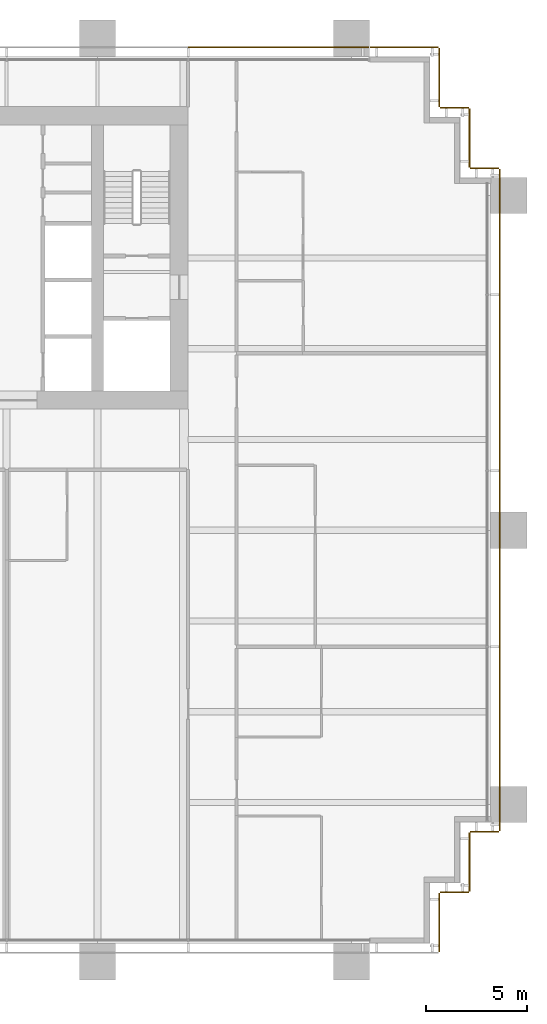
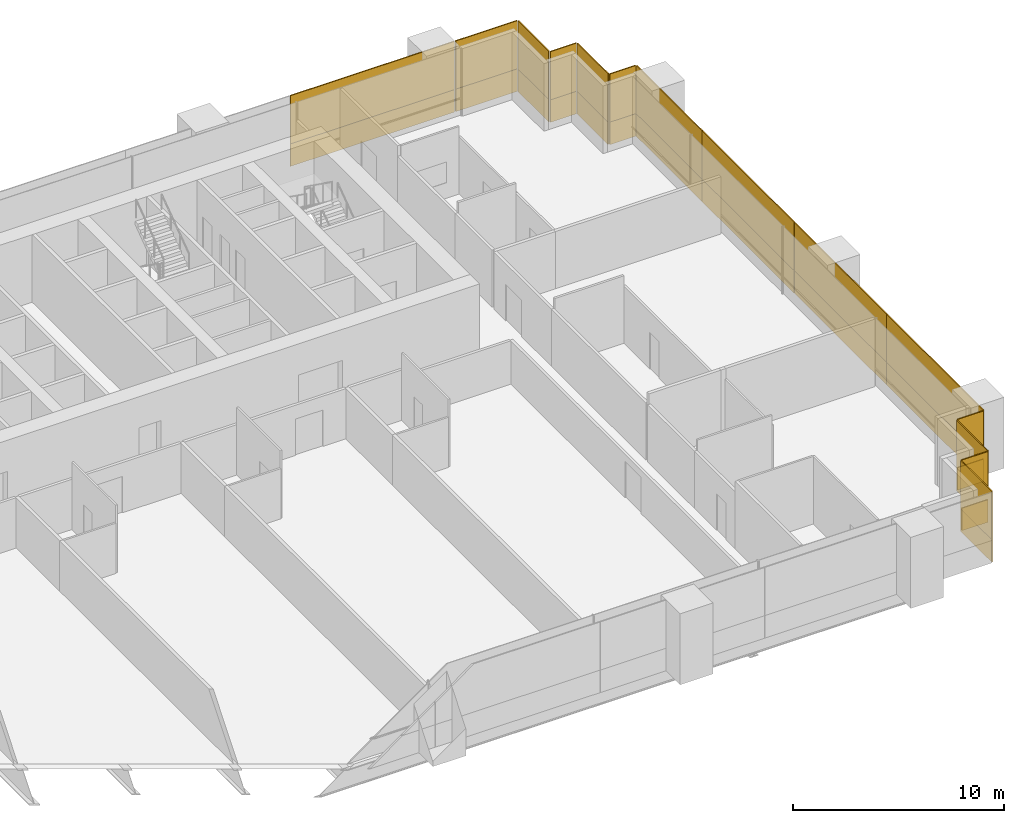
# One storey, part 19 of 19: 28 coverings.
"""IFC4 building model written with IfcOpenShell, lengths in metres."""

import ifcopenshell
import ifcopenshell.guid

model = None  # the IFC model being written
_history = None  # IfcOwnerHistory: only IFC2X3 demands one
_inside = {}  # id of a spatial element -> (the spatial element, [elements in it])
_under = {}  # id of a project, library or spatial element -> (it, [spatial elements below it])
_declared = {}  # id of a project -> (the project, [libraries it declares])
_typed = {}  # id of a type object -> (the type object, [elements of that type])
_made_of = {}  # id of a material, layer set ... -> (it, [elements and type objects made of it])


def new_model(schema):
    """Start an empty IFC model of exactly this schema.

    Asked for "IFC4X3", IfcOpenShell would pick the latest addendum, in which some entities
    have other attributes; the version numbers below select the first issue.
    IFC2X3 requires an IfcOwnerHistory on every rooted entity: one is made here for all.
    """
    global model, _history
    if schema == "IFC4X3":
        model = ifcopenshell.file(schema_version=(4, 3, 0, 0))
    else:
        model = ifcopenshell.file(schema=schema)
    _inside.clear()
    _under.clear()
    _declared.clear()
    _typed.clear()
    _made_of.clear()
    _history = None
    if model.schema == "IFC2X3":
        org = make("IfcOrganization", Name="unknown")
        user = make(
            "IfcPersonAndOrganization",
            ThePerson=make("IfcPerson", FamilyName="unknown"),
            TheOrganization=org,
        )
        app = make(
            "IfcApplication",
            ApplicationDeveloper=org,
            Version="unknown",
            ApplicationFullName="unknown",
            ApplicationIdentifier="unknown",
        )
        _history = make(
            "IfcOwnerHistory",
            OwningUser=user,
            OwningApplication=app,
            ChangeAction="ADDED",
            CreationDate=0,
        )
    return model


def make(cls, **values):
    """One entity of the class cls with the attributes given. An attribute that is None is left unset."""
    return model.create_entity(
        cls, **{name: value for name, value in values.items() if value is not None}
    )


def rooted(cls, **values):
    """An entity with a GlobalId (a new one), such as an element, a storey or a relation."""
    return make(cls, GlobalId=ifcopenshell.guid.new(), OwnerHistory=_history, **values)


def si_unit(unit_type, name, prefix=None):
    """IfcSIUnit, for example si_unit("LENGTHUNIT", "METRE", prefix="MILLI")."""
    return make("IfcSIUnit", UnitType=unit_type, Prefix=prefix, Name=name)


def assignment(units):
    """IfcUnitAssignment: the units of a project."""
    return None if units is None else make("IfcUnitAssignment", Units=units)


def point(xyz):
    """IfcCartesianPoint."""
    return None if xyz is None else make("IfcCartesianPoint", Coordinates=xyz)


def direction(xyz):
    """IfcDirection."""
    return None if xyz is None else make("IfcDirection", DirectionRatios=xyz)


def frame(location, z_axis=None, x_axis=None):
    """IfcAxis2Placement3D, a coordinate frame: its origin and axes. An axis left out is left unset."""
    return make(
        "IfcAxis2Placement3D",
        Location=point(location),
        Axis=direction(z_axis),
        RefDirection=direction(x_axis),
    )


def frame_2d(location, x_axis=None):
    """IfcAxis2Placement2D, a coordinate frame in the plane: its origin and x axis."""
    return make(
        "IfcAxis2Placement2D", Location=point(location), RefDirection=direction(x_axis)
    )


def origin():
    """The frame at (0, 0, 0) with its axes left unset."""
    return frame((0.0, 0.0, 0.0))


def origin_2d():
    """The frame at (0, 0) in the plane with its x axis left unset."""
    return frame_2d((0.0, 0.0))


def place(relative_to, where):
    """IfcLocalPlacement: puts the frame where relative to a parent placement (None: the world)."""
    return make(
        "IfcLocalPlacement", PlacementRelTo=relative_to, RelativePlacement=where
    )


def context(
    kind, dimensions, precision=None, world=None, true_north=None, identifier=None
):
    """IfcGeometricRepresentationContext, for example the 3D "Model" context."""
    return make(
        "IfcGeometricRepresentationContext",
        ContextIdentifier=identifier,
        ContextType=kind,
        CoordinateSpaceDimension=dimensions,
        Precision=precision,
        WorldCoordinateSystem=world,
        TrueNorth=true_north,
    )


def subcontext(parent, identifier, kind, view, scale=None):
    """IfcGeometricRepresentationSubContext, for example "Body" below "Model"."""
    return make(
        "IfcGeometricRepresentationSubContext",
        ContextIdentifier=identifier,
        ContextType=kind,
        ParentContext=parent,
        TargetScale=scale,
        TargetView=view,
    )


def project(units=None, contexts=None):
    """IfcProject with its units and contexts."""
    return rooted(
        "IfcProject",
        Name="project",
        RepresentationContexts=contexts,
        UnitsInContext=assignment(units),
    )


def spatial(cls, under=None, at=None, **own):
    """A site, building, storey or space (cls), placed at a placement, below another one or the project."""
    s = rooted(cls, ObjectPlacement=at, **own)
    if under is not None:
        _under.setdefault(under.id(), (under, []))[1].append(s)
    return s


def profile(cls, at=None, kind="AREA", **sizes):
    """A parametric profile (cls). Its sizes go by their IFC names, for example OverallWidth=200.0."""
    return make(cls, ProfileType=kind, Position=at, **sizes)


def rectangle(**sizes):
    """IfcRectangleProfileDef."""
    return profile("IfcRectangleProfileDef", **sizes)


def extrude(swept, where, along, depth):
    """IfcExtrudedAreaSolid: the profile swept, set in the frame where, extruded along a direction by depth."""
    return make(
        "IfcExtrudedAreaSolid",
        SweptArea=swept,
        Position=where,
        ExtrudedDirection=direction(along),
        Depth=depth,
    )


def shape(context_of_items, identifier, shape_type, items):
    """IfcShapeRepresentation: the items that make up one representation, for example the "Body"."""
    return make(
        "IfcShapeRepresentation",
        ContextOfItems=context_of_items,
        RepresentationIdentifier=identifier,
        RepresentationType=shape_type,
        Items=items,
    )


def material(Name=None, Category=None):
    """IfcMaterial."""
    return make("IfcMaterial", Name=Name, Category=Category)


def layer(
    of_material, thickness, ventilated=None, Name=None, Category=None, Priority=None
):
    """IfcMaterialLayer: one layer of a wall or slab, of a material (None: an air gap)."""
    return make(
        "IfcMaterialLayer",
        Material=of_material,
        LayerThickness=thickness,
        IsVentilated=ventilated,
        Name=Name,
        Category=Category,
        Priority=Priority,
    )


def layer_set(layers, Name=None):
    """IfcMaterialLayerSet."""
    return make("IfcMaterialLayerSet", MaterialLayers=layers, LayerSetName=Name)


def made_of(thing, what):
    """Note that an element or type object is made of a material, layer set ...; save() writes the relation."""
    if what is not None:
        _made_of.setdefault(what.id(), (what, []))[1].append(thing)
    return thing


def type_object(cls, material=None, **own):
    """A type object (cls), such as IfcWallType, which elements share."""
    return made_of(rooted(cls, **own), material)


def element(
    cls,
    number,
    at=None,
    inside=None,
    cuts=None,
    type_object=None,
    material=None,
    context=None,
    identifier="Body",
    shape_type=None,
    held_by="IfcProductDefinitionShape",
    body=None,
    shapes=None,
    **own,
):
    """One element of the class cls, such as IfcWall. Its Tag is "e" and its number.

    at: its placement. inside: the storey or other place that contains it. cuts: it is an
    opening in that element (IfcRelVoidsElement). A single representation is given by context,
    identifier, shape_type and body (its items); several are given by shapes. held_by: the class
    of the entity that holds the representations. save() writes the other relations.
    """
    e = rooted(cls, Tag="e%d" % number, ObjectPlacement=at, **own)
    if body is not None:
        shapes = [shape(context, identifier, shape_type, body)]
    if shapes is not None:
        e.Representation = make(held_by, Representations=shapes)
    if inside is not None:
        _inside.setdefault(inside.id(), (inside, []))[1].append(e)
    if cuts is not None:
        rooted(
            "IfcRelVoidsElement", RelatingBuildingElement=cuts, RelatedOpeningElement=e
        )
    if type_object is not None:
        _typed.setdefault(type_object.id(), (type_object, []))[1].append(e)
    return made_of(e, material)


def aggregate(whole, parts):
    """IfcRelAggregates: a whole, such as a stair, and the parts it consists of."""
    return rooted("IfcRelAggregates", RelatingObject=whole, RelatedObjects=parts)


def save(model, path):
    """Write the relations noted so far, then the file.

    IfcRelAggregates (storeys below a building ...), IfcRelContainedInSpatialStructure (elements
    in a storey), IfcRelDefinesByType, IfcRelAssociatesMaterial and IfcRelDeclares: one each for
    every whole, place, type object, material and project.
    """
    for whole, parts in _under.values():
        aggregate(whole, parts)
    for where, things in _inside.values():
        rooted(
            "IfcRelContainedInSpatialStructure",
            RelatedElements=things,
            RelatingStructure=where,
        )
    for kind, things in _typed.values():
        rooted("IfcRelDefinesByType", RelatedObjects=things, RelatingType=kind)
    for what, things in _made_of.values():
        rooted("IfcRelAssociatesMaterial", RelatedObjects=things, RelatingMaterial=what)
    for by, libraries in _declared.values():
        rooted("IfcRelDeclares", RelatingContext=by, RelatedDefinitions=libraries)
    model.write(path)


model = new_model("IFC4")

# Units and contexts
model_context = context("Model", 3, precision=1e-05, world=origin(), true_north=direction((0.0, 1.0)))
body_context = subcontext(model_context, "Body", "Model", "MODEL_VIEW")
ifc_project = project(units=[si_unit("LENGTHUNIT", "METRE"), si_unit("AREAUNIT", "SQUARE_METRE"), si_unit("VOLUMEUNIT", "CUBIC_METRE"), si_unit("PLANEANGLEUNIT", "RADIAN"), si_unit("MASSUNIT", "GRAM", prefix="KILO")], contexts=[model_context])

# Site, building, storey
site_placement = place(None, origin())
site = spatial("IfcSite", under=ifc_project, at=site_placement, CompositionType="ELEMENT")
building_placement = place(site_placement, origin())
building = spatial("IfcBuilding", under=site, at=building_placement, Name="Rattan Terrace Tower", CompositionType="ELEMENT")
storey_placement = place(building_placement, frame((0.0, 0.0, 65.199951171875)))
storey = spatial("IfcBuildingStorey", under=building, at=storey_placement, Name="L14", CompositionType="ELEMENT", Elevation=65.199951171875)

# Coverings
ifc_material_1 = material(Name="Solid terracotta", Category="masonry")
ifc_layer_1 = layer(ifc_material_1, 0.06005859375)
ifc_layer_set_1 = layer_set([ifc_layer_1], Name="Facade Terracotta Band Panel")
covering_type_1 = type_object("IfcCoveringType", Name="Facade Terracotta Band Panel", PredefinedType="CLADDING", material=ifc_layer_set_1)
covering_1_placement = place(storey_placement, frame((30.449951171875, -32.949951171875, -0.18994140625), z_axis=(0.0, 0.0, 1.0), x_axis=(0.0, 1.0, 0.0)))
element("IfcCovering", 1, at=covering_1_placement, inside=storey, type_object=covering_type_1, Name="OUTER SKIN panel L14-2A", PredefinedType="CLADDING", context=body_context, shape_type="SweptSolid", body=[
    extrude(rectangle(XDim=2.919921875, YDim=0.06005859375, at=origin_2d()), origin(), (0.0, 0.0, 1.0), 1.300048828125),
])
covering_2_placement = place(storey_placement, frame((31.199951171875, -31.449951171875, -0.18994140625), z_axis=(0.0, 0.0, 1.0), x_axis=(1.0, 0.0, 0.0)))
element("IfcCovering", 2, at=covering_2_placement, inside=storey, type_object=covering_type_1, Name="OUTER SKIN panel L14-3A", PredefinedType="CLADDING", context=body_context, shape_type="SweptSolid", body=[
    extrude(rectangle(XDim=1.419921875, YDim=0.06005859375, at=origin_2d()), origin(), (0.0, 0.0, 1.0), 1.300048828125),
])
covering_3_placement = place(storey_placement, frame((31.949951171875, -29.949951171875, -0.18994140625), z_axis=(0.0, 0.0, 1.0), x_axis=(0.0, 1.0, 0.0)))
element("IfcCovering", 3, at=covering_3_placement, inside=storey, type_object=covering_type_1, Name="OUTER SKIN panel L14-4A", PredefinedType="CLADDING", context=body_context, shape_type="SweptSolid", body=[
    extrude(rectangle(XDim=2.919921875, YDim=0.06005859375, at=origin_2d()), origin(), (0.0, 0.0, 1.0), 1.300048828125),
])
covering_4_placement = place(storey_placement, frame((32.699951171875, -28.449951171875, -0.18994140625), z_axis=(0.0, 0.0, 1.0), x_axis=(1.0, 0.0, 0.0)))
element("IfcCovering", 4, at=covering_4_placement, inside=storey, type_object=covering_type_1, Name="OUTER SKIN panel L14-5A", PredefinedType="CLADDING", context=body_context, shape_type="SweptSolid", body=[
    extrude(rectangle(XDim=1.419921875, YDim=0.06005859375, at=origin_2d()), origin(), (0.0, 0.0, 1.0), 1.300048828125),
])
covering_5_placement = place(storey_placement, frame((33.449951171875, -23.846435546875, -0.18994140625), z_axis=(0.0, 0.0, 1.0), x_axis=(0.0, 1.0, 0.0)))
element("IfcCovering", 5, at=covering_5_placement, inside=storey, type_object=covering_type_1, Name="OUTER SKIN panel L14-6A", PredefinedType="CLADDING", context=body_context, shape_type="SweptSolid", body=[
    extrude(rectangle(XDim=9.126953125, YDim=0.06005859375, at=origin_2d()), origin(), (0.0, 0.0, 1.0), 1.300048828125),
])
for number, where, z_axis, x_axis, name in (
    (6, (33.449951171875, -14.909423828125, -0.18994140625), (0.0, 0.0, 1.0), (0.0, 1.0, 0.0), "OUTER SKIN panel L14-7A"),
    (7, (33.449951171875, -6.1826171875, -0.18994140625), (0.0, 0.0, 1.0), (0.0, 1.0, 0.0), "OUTER SKIN panel L14-8A"),
):
    element("IfcCovering", number, at=place(storey_placement, frame(where, z_axis=z_axis, x_axis=x_axis)), inside=storey, type_object=covering_type_1, Name=name, PredefinedType="CLADDING", context=body_context, shape_type="SweptSolid", body=[
        extrude(rectangle(XDim=8.70703125, YDim=0.06005859375, at=origin_2d()), origin(), (0.0, 0.0, 1.0), 1.300048828125),
    ])
covering_6_placement = place(storey_placement, frame((33.449951171875, 1.300537109375, -0.18994140625), z_axis=(0.0, 0.0, 1.0), x_axis=(0.0, 1.0, 0.0)))
element("IfcCovering", 8, at=covering_6_placement, inside=storey, type_object=covering_type_1, Name="OUTER SKIN panel L14-9A", PredefinedType="CLADDING", context=body_context, shape_type="SweptSolid", body=[
    extrude(rectangle(XDim=6.218994140625, YDim=0.06005859375, at=origin_2d()), origin(), (0.0, 0.0, 1.0), 1.300048828125),
])
covering_7_placement = place(storey_placement, frame((32.699951171875, 4.449951171875, -0.18994140625), z_axis=(0.0, 0.0, 1.0), x_axis=(-1.0, 0.0, 0.0)))
element("IfcCovering", 9, at=covering_7_placement, inside=storey, type_object=covering_type_1, Name="OUTER SKIN panel L14-10A", PredefinedType="CLADDING", context=body_context, shape_type="SweptSolid", body=[
    extrude(rectangle(XDim=1.419921875, YDim=0.06005859375, at=origin_2d()), origin(), (0.0, 0.0, 1.0), 1.300048828125),
])
covering_8_placement = place(storey_placement, frame((31.949951171875, 5.949951171875, -0.18994140625), z_axis=(0.0, 0.0, 1.0), x_axis=(0.0, 1.0, 0.0)))
element("IfcCovering", 10, at=covering_8_placement, inside=storey, type_object=covering_type_1, Name="OUTER SKIN panel L14-11A", PredefinedType="CLADDING", context=body_context, shape_type="SweptSolid", body=[
    extrude(rectangle(XDim=2.919921875, YDim=0.06005859375, at=origin_2d()), origin(), (0.0, 0.0, 1.0), 1.300048828125),
])
covering_9_placement = place(storey_placement, frame((31.199951171875, 7.449951171875, -0.18994140625), z_axis=(0.0, 0.0, 1.0), x_axis=(-1.0, 0.0, 0.0)))
element("IfcCovering", 11, at=covering_9_placement, inside=storey, type_object=covering_type_1, Name="OUTER SKIN panel L14-12A", PredefinedType="CLADDING", context=body_context, shape_type="SweptSolid", body=[
    extrude(rectangle(XDim=1.419921875, YDim=0.06005859375, at=origin_2d()), origin(), (0.0, 0.0, 1.0), 1.300048828125),
])
covering_10_placement = place(storey_placement, frame((30.449951171875, 8.949951171875, -0.18994140625), z_axis=(0.0, 0.0, 1.0), x_axis=(0.0, 1.0, 0.0)))
element("IfcCovering", 12, at=covering_10_placement, inside=storey, type_object=covering_type_1, Name="OUTER SKIN panel L14-13A", PredefinedType="CLADDING", context=body_context, shape_type="SweptSolid", body=[
    extrude(rectangle(XDim=2.919921875, YDim=0.06005859375, at=origin_2d()), origin(), (0.0, 0.0, 1.0), 1.300048828125),
])
covering_11_placement = place(storey_placement, frame((28.72509765625, 10.449951171875, -0.18994140625), z_axis=(0.0, 0.0, 1.0), x_axis=(-1.0, 0.0, 0.0)))
element("IfcCovering", 13, at=covering_11_placement, inside=storey, type_object=covering_type_1, Name="OUTER SKIN panel L14-14A", PredefinedType="CLADDING", context=body_context, shape_type="SweptSolid", body=[
    extrude(rectangle(XDim=3.3701171875, YDim=0.06005859375, at=origin_2d()), origin(), (0.0, 0.0, 1.0), 1.300048828125),
])
covering_12_placement = place(storey_placement, frame((22.485107421875, 10.449951171875, -0.18994140625), z_axis=(0.0, 0.0, 1.0), x_axis=(-1.0, 0.0, 0.0)))
element("IfcCovering", 14, at=covering_12_placement, inside=storey, type_object=covering_type_1, Name="OUTER SKIN panel L14-15A", PredefinedType="CLADDING", context=body_context, shape_type="SweptSolid", body=[
    extrude(rectangle(XDim=8.949951171875, YDim=0.06005859375, at=origin_2d()), origin(), (0.0, 0.0, 1.0), 1.300048828125),
])
ifc_material_2 = material(Name="Perforated terracotta", Category="masonry")
ifc_layer_2 = layer(ifc_material_2, 0.06005859375)
ifc_layer_set_2 = layer_set([ifc_layer_2], Name="Facade Terracotta Screen Panel")
covering_type_2 = type_object("IfcCoveringType", Name="Facade Terracotta Screen Panel", PredefinedType="CLADDING", material=ifc_layer_set_2)
covering_13_placement = place(storey_placement, frame((30.449951171875, -32.949951171875, 1.10986328125), z_axis=(0.0, 0.0, 1.0), x_axis=(0.0, 1.0, 0.0)))
element("IfcCovering", 15, at=covering_13_placement, inside=storey, type_object=covering_type_2, Name="OUTER SKIN panel L14-2B", PredefinedType="CLADDING", context=body_context, shape_type="SweptSolid", body=[
    extrude(rectangle(XDim=2.919921875, YDim=0.06005859375, at=origin_2d()), origin(), (0.0, 0.0, 1.0), 2.780029296875),
])
covering_14_placement = place(storey_placement, frame((31.199951171875, -31.449951171875, 1.10986328125), z_axis=(0.0, 0.0, 1.0), x_axis=(1.0, 0.0, 0.0)))
element("IfcCovering", 16, at=covering_14_placement, inside=storey, type_object=covering_type_2, Name="OUTER SKIN panel L14-3B", PredefinedType="CLADDING", context=body_context, shape_type="SweptSolid", body=[
    extrude(rectangle(XDim=1.419921875, YDim=0.06005859375, at=origin_2d()), origin(), (0.0, 0.0, 1.0), 2.780029296875),
])
covering_15_placement = place(storey_placement, frame((31.949951171875, -29.949951171875, 1.10986328125), z_axis=(0.0, 0.0, 1.0), x_axis=(0.0, 1.0, 0.0)))
element("IfcCovering", 17, at=covering_15_placement, inside=storey, type_object=covering_type_2, Name="OUTER SKIN panel L14-4B", PredefinedType="CLADDING", context=body_context, shape_type="SweptSolid", body=[
    extrude(rectangle(XDim=2.919921875, YDim=0.06005859375, at=origin_2d()), origin(), (0.0, 0.0, 1.0), 2.780029296875),
])
covering_16_placement = place(storey_placement, frame((32.699951171875, -28.449951171875, 1.10986328125), z_axis=(0.0, 0.0, 1.0), x_axis=(1.0, 0.0, 0.0)))
element("IfcCovering", 18, at=covering_16_placement, inside=storey, type_object=covering_type_2, Name="OUTER SKIN panel L14-5B", PredefinedType="CLADDING", context=body_context, shape_type="SweptSolid", body=[
    extrude(rectangle(XDim=1.419921875, YDim=0.06005859375, at=origin_2d()), origin(), (0.0, 0.0, 1.0), 2.780029296875),
])
covering_17_placement = place(storey_placement, frame((33.449951171875, -23.846435546875, 1.10986328125), z_axis=(0.0, 0.0, 1.0), x_axis=(0.0, 1.0, 0.0)))
element("IfcCovering", 19, at=covering_17_placement, inside=storey, type_object=covering_type_2, Name="OUTER SKIN panel L14-6B", PredefinedType="CLADDING", context=body_context, shape_type="SweptSolid", body=[
    extrude(rectangle(XDim=9.126953125, YDim=0.06005859375, at=origin_2d()), origin(), (0.0, 0.0, 1.0), 2.780029296875),
])
for number, where, z_axis, x_axis, name in (
    (20, (33.449951171875, -14.909423828125, 1.10986328125), (0.0, 0.0, 1.0), (0.0, 1.0, 0.0), "OUTER SKIN panel L14-7B"),
    (21, (33.449951171875, -6.1826171875, 1.10986328125), (0.0, 0.0, 1.0), (0.0, 1.0, 0.0), "OUTER SKIN panel L14-8B"),
):
    element("IfcCovering", number, at=place(storey_placement, frame(where, z_axis=z_axis, x_axis=x_axis)), inside=storey, type_object=covering_type_2, Name=name, PredefinedType="CLADDING", context=body_context, shape_type="SweptSolid", body=[
        extrude(rectangle(XDim=8.70703125, YDim=0.06005859375, at=origin_2d()), origin(), (0.0, 0.0, 1.0), 2.780029296875),
    ])
covering_18_placement = place(storey_placement, frame((33.449951171875, 1.300537109375, 1.10986328125), z_axis=(0.0, 0.0, 1.0), x_axis=(0.0, 1.0, 0.0)))
element("IfcCovering", 22, at=covering_18_placement, inside=storey, type_object=covering_type_2, Name="OUTER SKIN panel L14-9B", PredefinedType="CLADDING", context=body_context, shape_type="SweptSolid", body=[
    extrude(rectangle(XDim=6.218994140625, YDim=0.06005859375, at=origin_2d()), origin(), (0.0, 0.0, 1.0), 2.780029296875),
])
covering_19_placement = place(storey_placement, frame((32.699951171875, 4.449951171875, 1.10986328125), z_axis=(0.0, 0.0, 1.0), x_axis=(-1.0, 0.0, 0.0)))
element("IfcCovering", 23, at=covering_19_placement, inside=storey, type_object=covering_type_2, Name="OUTER SKIN panel L14-10B", PredefinedType="CLADDING", context=body_context, shape_type="SweptSolid", body=[
    extrude(rectangle(XDim=1.419921875, YDim=0.06005859375, at=origin_2d()), origin(), (0.0, 0.0, 1.0), 2.780029296875),
])
covering_20_placement = place(storey_placement, frame((31.949951171875, 5.949951171875, 1.10986328125), z_axis=(0.0, 0.0, 1.0), x_axis=(0.0, 1.0, 0.0)))
element("IfcCovering", 24, at=covering_20_placement, inside=storey, type_object=covering_type_2, Name="OUTER SKIN panel L14-11B", PredefinedType="CLADDING", context=body_context, shape_type="SweptSolid", body=[
    extrude(rectangle(XDim=2.919921875, YDim=0.06005859375, at=origin_2d()), origin(), (0.0, 0.0, 1.0), 2.780029296875),
])
covering_21_placement = place(storey_placement, frame((31.199951171875, 7.449951171875, 1.10986328125), z_axis=(0.0, 0.0, 1.0), x_axis=(-1.0, 0.0, 0.0)))
element("IfcCovering", 25, at=covering_21_placement, inside=storey, type_object=covering_type_2, Name="OUTER SKIN panel L14-12B", PredefinedType="CLADDING", context=body_context, shape_type="SweptSolid", body=[
    extrude(rectangle(XDim=1.419921875, YDim=0.06005859375, at=origin_2d()), origin(), (0.0, 0.0, 1.0), 2.780029296875),
])
covering_22_placement = place(storey_placement, frame((30.449951171875, 8.949951171875, 1.10986328125), z_axis=(0.0, 0.0, 1.0), x_axis=(0.0, 1.0, 0.0)))
element("IfcCovering", 26, at=covering_22_placement, inside=storey, type_object=covering_type_2, Name="OUTER SKIN panel L14-13B", PredefinedType="CLADDING", context=body_context, shape_type="SweptSolid", body=[
    extrude(rectangle(XDim=2.919921875, YDim=0.06005859375, at=origin_2d()), origin(), (0.0, 0.0, 1.0), 2.780029296875),
])
covering_23_placement = place(storey_placement, frame((28.72509765625, 10.449951171875, 1.10986328125), z_axis=(0.0, 0.0, 1.0), x_axis=(-1.0, 0.0, 0.0)))
element("IfcCovering", 27, at=covering_23_placement, inside=storey, type_object=covering_type_2, Name="OUTER SKIN panel L14-14B", PredefinedType="CLADDING", context=body_context, shape_type="SweptSolid", body=[
    extrude(rectangle(XDim=3.3701171875, YDim=0.06005859375, at=origin_2d()), origin(), (0.0, 0.0, 1.0), 2.780029296875),
])
covering_24_placement = place(storey_placement, frame((22.485107421875, 10.449951171875, 1.10986328125), z_axis=(0.0, 0.0, 1.0), x_axis=(-1.0, 0.0, 0.0)))
element("IfcCovering", 28, at=covering_24_placement, inside=storey, type_object=covering_type_2, Name="OUTER SKIN panel L14-15B", PredefinedType="CLADDING", context=body_context, shape_type="SweptSolid", body=[
    extrude(rectangle(XDim=8.949951171875, YDim=0.06005859375, at=origin_2d()), origin(), (0.0, 0.0, 1.0), 2.780029296875),
])

save(model, "model.ifc")
